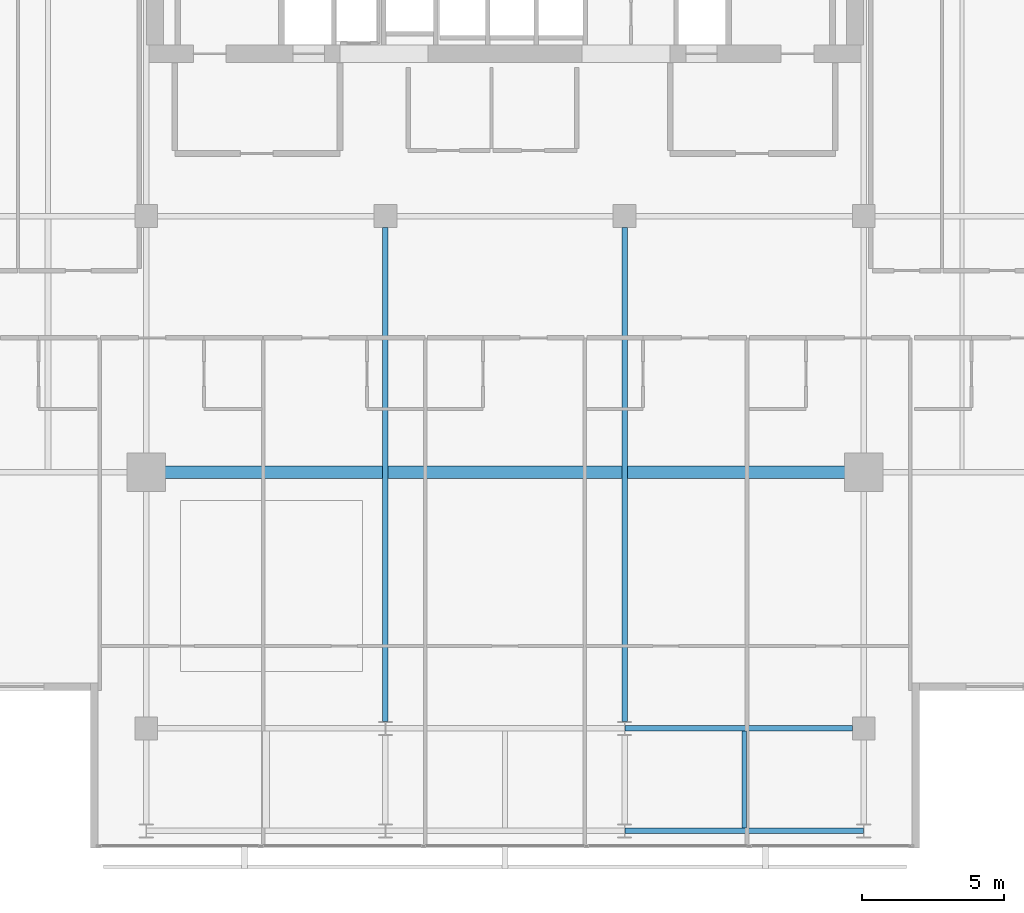
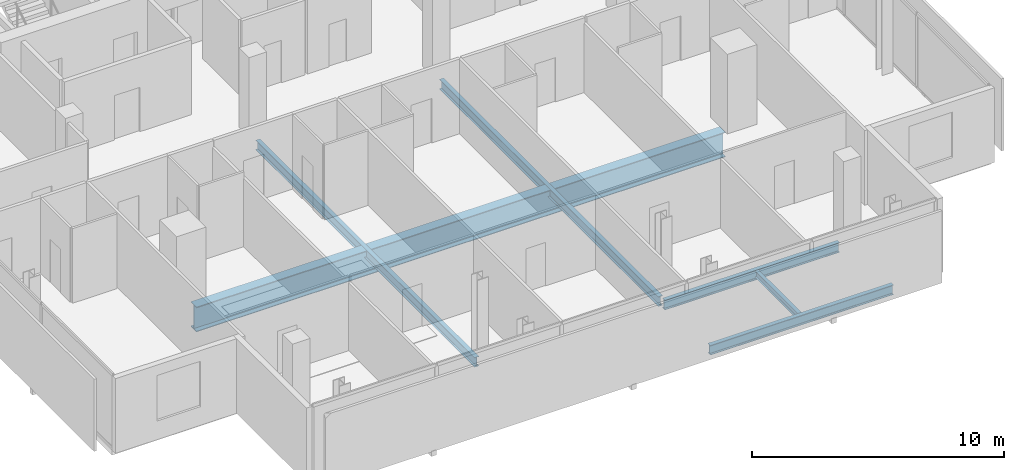
# One storey, part 6 of 24: 6 beams.
"""IFC4 building model written with IfcOpenShell, lengths in metres."""

from ifc_helpers import new_model, si_unit, direction, frame, origin, origin_2d, place, context, subcontext, project, spatial, i_section, extrude, material, material_profile, profile_set, type_object, element, save


model = new_model("IFC4")

# Units and contexts
model_context = context("Model", 3, precision=1e-05, world=origin(), true_north=direction((0.0, 1.0)))
body_context = subcontext(model_context, "Body", "Model", "MODEL_VIEW")
ifc_project = project(units=[si_unit("LENGTHUNIT", "METRE"), si_unit("AREAUNIT", "SQUARE_METRE"), si_unit("VOLUMEUNIT", "CUBIC_METRE"), si_unit("PLANEANGLEUNIT", "RADIAN"), si_unit("MASSUNIT", "GRAM", prefix="KILO")], contexts=[model_context])

# Site, building, storey
site_placement = place(None, origin())
site = spatial("IfcSite", under=ifc_project, at=site_placement, CompositionType="ELEMENT")
building_placement = place(site_placement, origin())
building = spatial("IfcBuilding", under=site, at=building_placement, Name="Maruvema Waterfront Hotel and Observation Tower", CompositionType="ELEMENT")
storey_placement = place(building_placement, frame((0.0, 0.0, 325.85009765625)))
storey = spatial("IfcBuildingStorey", under=building, at=storey_placement, Name="L80", CompositionType="ELEMENT", Elevation=325.85009765625)

# Beams
ifc_material_1 = material(Name="Steel ASTM A572 Grade 50", Category="steel")
ifc_material_profile_1 = material_profile(ifc_material_1, i_section(OverallWidth=0.194091796875, OverallDepth=0.468994140625, WebThickness=0.0126953125, FlangeThickness=0.0205078125, FilletRadius=0.014892578125, at=origin_2d()), Name="W460x106.0")
ifc_profile_set_1 = profile_set([ifc_material_profile_1], Name="Steel ASTM A572 Grade 50")
beam_type_1 = type_object("IfcBeamType", Name="Primary Floor Girder W460x106.0", PredefinedType="BEAM", material=ifc_profile_set_1)
beam_1_placement = place(storey_placement, frame((42.010986328125, 14.39990234375, -0.474609375), z_axis=(1.0, 0.0, 0.0), x_axis=(0.0, 1.0, 0.0)))
element("IfcBeam", 1, at=beam_1_placement, inside=storey, type_object=beam_type_1, Name="L80 Floor Girder EW-03", PredefinedType="BEAM", context=body_context, shape_type="SweptSolid", body=[
    extrude(i_section(OverallWidth=0.194091796875, OverallDepth=0.468994140625, WebThickness=0.0126953125, FlangeThickness=0.0205078125, FilletRadius=0.014892578125, at=origin_2d()), origin(), (0.0, 0.0, 1.0), 8.3779296875),
])
beam_2_placement = place(storey_placement, frame((42.010986328125, 18.0, -0.474609375), z_axis=(1.0, 0.0, 0.0), x_axis=(0.0, 1.0, 0.0)))
element("IfcBeam", 2, at=beam_2_placement, inside=storey, type_object=beam_type_1, Name="L80 Floor Girder EW-06", PredefinedType="BEAM", context=body_context, shape_type="SweptSolid", body=[
    extrude(i_section(OverallWidth=0.194091796875, OverallDepth=0.468994140625, WebThickness=0.0126953125, FlangeThickness=0.0205078125, FilletRadius=0.014892578125, at=origin_2d()), origin(), (0.0, 0.0, 1.0), 7.989013671875),
])
for number, where, z_axis, x_axis, name in (
    (3, (33.60009765625, 18.25, -0.474609375), (0.0, 1.0, 0.0), (-1.0, 0.0, 0.0), "L80 Floor Girder NS-08"),
    (4, (42.0, 18.25, -0.474609375), (0.0, 1.0, 0.0), (-1.0, 0.0, 0.0), "L80 Floor Girder NS-10"),
):
    element("IfcBeam", number, at=place(storey_placement, frame(where, z_axis=z_axis, x_axis=x_axis)), inside=storey, type_object=beam_type_1, Name=name, PredefinedType="BEAM", context=body_context, shape_type="SweptSolid", body=[
        extrude(i_section(OverallWidth=0.194091796875, OverallDepth=0.468994140625, WebThickness=0.0126953125, FlangeThickness=0.0205078125, FilletRadius=0.014892578125, at=origin_2d()), origin(), (0.0, 0.0, 1.0), 17.35009765625),
    ])
ifc_material_2 = material(Name="Steel ASTM A572 Grade 50", Category="steel")
ifc_material_profile_2 = material_profile(ifc_material_2, i_section(OverallWidth=0.1650390625, OverallDepth=0.31005859375, WebThickness=0.005859375, FlangeThickness=0.009765625, FilletRadius=0.012939453125, at=origin_2d()), Name="W310x38.7")
ifc_profile_set_2 = profile_set([ifc_material_profile_2], Name="Steel ASTM A572 Grade 50")
beam_type_2 = type_object("IfcBeamType", Name="Secondary Floor Joist W310x38.7", PredefinedType="JOIST", material=ifc_profile_set_2)
beam_3_placement = place(storey_placement, frame((46.199951171875, 14.4970703125, -0.39501953125), z_axis=(0.0, 1.0, 0.0), x_axis=(-1.0, 0.0, 0.0)))
element("IfcBeam", 5, at=beam_3_placement, inside=storey, type_object=beam_type_2, Name="L80 Secondary Floor Joist JS-05", PredefinedType="JOIST", context=body_context, shape_type="SweptSolid", body=[
    extrude(i_section(OverallWidth=0.1650390625, OverallDepth=0.31005859375, WebThickness=0.005859375, FlangeThickness=0.009765625, FilletRadius=0.012939453125, at=origin_2d()), origin(), (0.0, 0.0, 1.0), 3.406005859375),
])
ifc_material_3 = material(Name="Steel ABNT NBR 7007 AR 415 (ASTM A572 Grade 50)", Category="steel")
ifc_material_profile_3 = material_profile(ifc_material_3, i_section(OverallWidth=0.449951171875, OverallDepth=1.199951171875, WebThickness=0.01904296875, FlangeThickness=0.031982421875, at=origin_2d()), Name="VS1200x366")
ifc_profile_set_3 = profile_set([ifc_material_profile_3], Name="Steel ABNT NBR 7007 AR 415 (ASTM A572 Grade 50)")
beam_type_3 = type_object("IfcBeamType", Name="Upper Setback Transfer Girder VS1200x366", PredefinedType="USERDEFINED", material=ifc_profile_set_3)
beam_4_placement = place(storey_placement, frame((25.699951171875, 27.0, -0.840087890625), z_axis=(1.0, 0.0, 0.0), x_axis=(0.0, 1.0, 0.0)))
element("IfcBeam", 6, at=beam_4_placement, inside=storey, type_object=beam_type_3, Name="L80 Floor Girder EW-08", ObjectType="TRANSFER GIRDER", PredefinedType="USERDEFINED", context=body_context, shape_type="SweptSolid", body=[
    extrude(i_section(OverallWidth=0.449951171875, OverallDepth=1.199951171875, WebThickness=0.01904296875, FlangeThickness=0.031982421875, at=origin_2d()), origin(), (0.0, 0.0, 1.0), 24.199951171875),
])

save(model, "model.ifc")
